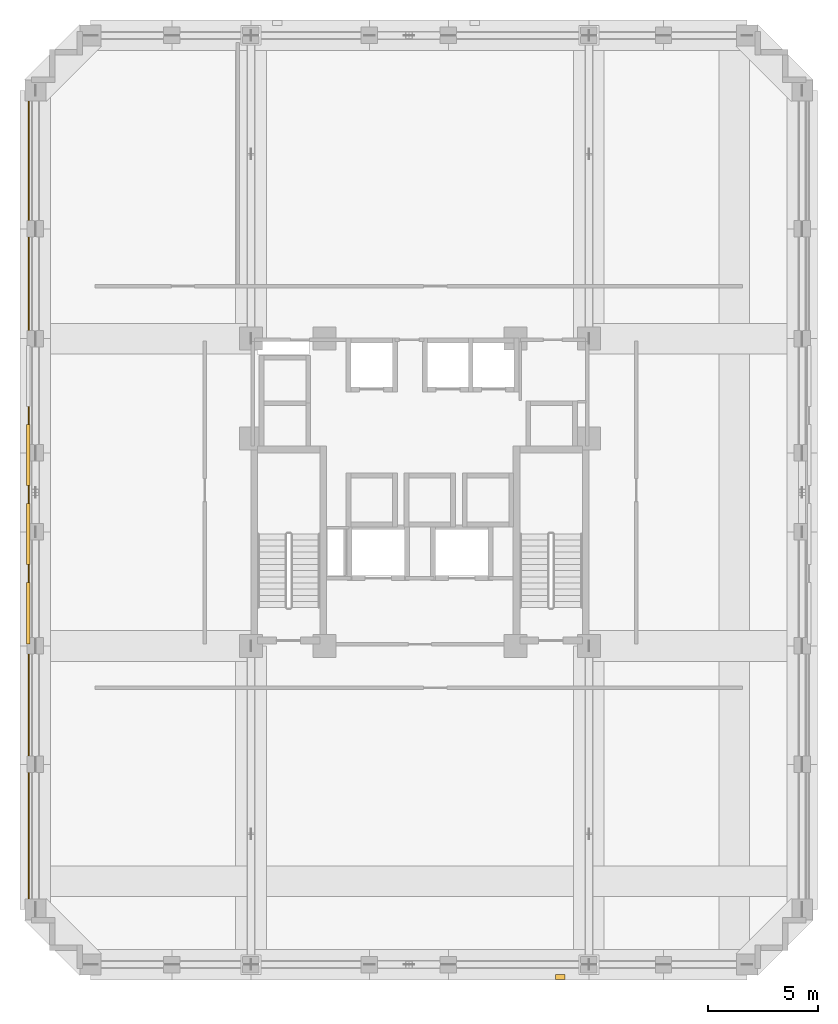
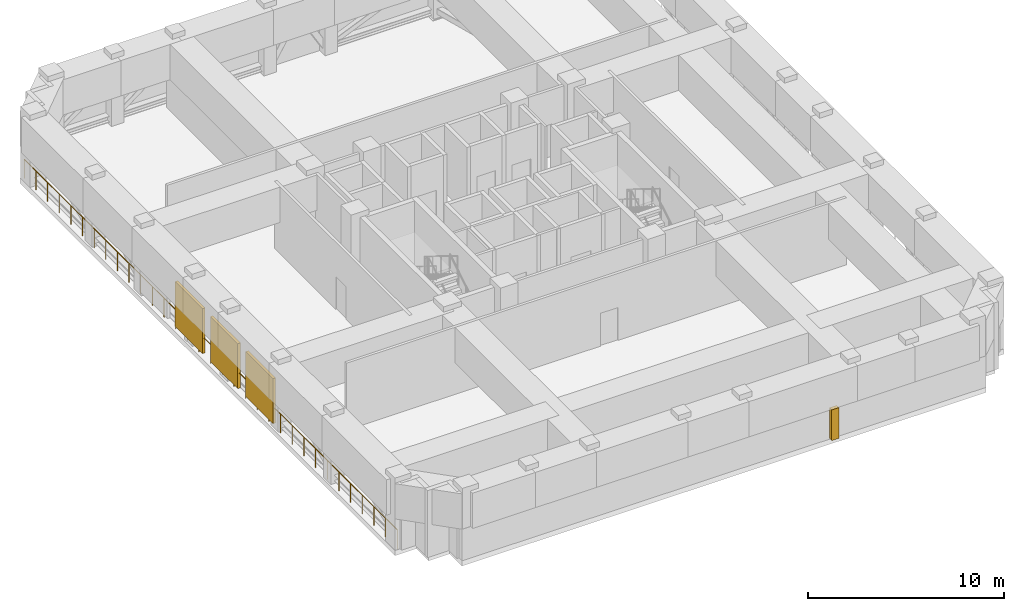
# One storey, part 9 of 11: 3 shading devices, 1 covering, 1 railing.
"""IFC4 building model written with IfcOpenShell, lengths in metres."""

from ifc_helpers import new_model, si_unit, derived_unit, direction, frame, origin, origin_2d, place, context, subcontext, project, spatial, rectangle, circle, extrude, material, layer, layer_set, type_object, element, save


model = new_model("IFC4")

# Units and contexts
model_context = context("Model", 3, precision=1e-05, world=origin(), true_north=direction((0.0, 1.0)))
body_context = subcontext(model_context, "Body", "Model", "MODEL_VIEW")
ifc_project = project(units=[si_unit("LENGTHUNIT", "METRE"), si_unit("AREAUNIT", "SQUARE_METRE"), si_unit("VOLUMEUNIT", "CUBIC_METRE"), si_unit("PLANEANGLEUNIT", "RADIAN"), si_unit("MASSUNIT", "GRAM", prefix="KILO"), derived_unit("THERMALTRANSMITTANCEUNIT", [(si_unit("MASSUNIT", "GRAM", prefix="KILO"), 1), (si_unit("TIMEUNIT", "SECOND"), -3), (si_unit("THERMODYNAMICTEMPERATUREUNIT", "KELVIN"), -1)])], contexts=[model_context])

# Site, building, storey
site_placement = place(None, origin())
site = spatial("IfcSite", under=ifc_project, at=site_placement, CompositionType="ELEMENT")
building_placement = place(site_placement, origin())
building = spatial("IfcBuilding", under=site, at=building_placement, Name="Korrvale Station Residences", CompositionType="ELEMENT")
storey_placement = place(building_placement, frame((0.0, 0.0, 119.89990234375)))
storey = spatial("IfcBuildingStorey", under=building, at=storey_placement, Name="L34", CompositionType="ELEMENT", Elevation=119.89990234375)

# Covering
ifc_material_1 = material(Name="Architectural precast concrete C45/55", Category="concrete")
ifc_layer = layer(ifc_material_1, 0.219970703125, Name="Architectural precast concrete C45/55")
ifc_layer_set = layer_set([ifc_layer], Name="Architectural precast concrete C45/55")
covering_type = type_object("IfcCoveringType", Name="COV-PIER-400", PredefinedType="CLADDING", material=ifc_layer_set)
covering_placement = place(storey_placement, frame((31.89990234375, -0.090087890625, 0.025146484375), z_axis=(0.0, 0.0, 1.0), x_axis=(1.0, 0.0, 0.0)))
element("IfcCovering", 1, at=covering_placement, inside=storey, type_object=covering_type, Name="L34 Architectural Precast Facade Pier 01", PredefinedType="CLADDING", context=body_context, shape_type="SweptSolid", body=[
    extrude(rectangle(XDim=0.419921875, YDim=0.219970703125, at=origin_2d()), origin(), (0.0, 0.0, 1.0), 1.9150390625),
])

# Railing
ifc_material_2 = material(Name="Galvanised steel refuge perimeter guard", Category="steel")
railing_type = type_object("IfcRailingType", Name="RLG-REF-1200", PredefinedType="GUARDRAIL", material=ifc_material_2)
railing_placement = place(storey_placement, frame((7.679931640625, 2.60009765625, 0.0)))
element("IfcRailing", 2, at=railing_placement, inside=storey, type_object=railing_type, Name="L34 Open Refuge Band Perimeter Guard West", PredefinedType="GUARDRAIL", context=body_context, shape_type="SweptSolid", body=[
    extrude(circle(Radius=0.02392578125, at=origin_2d()), frame((0.0, 0.0, 1.17578125), z_axis=(0.0, 1.0, 0.0), x_axis=(-1.0, 0.0, 0.0)), (0.0, 0.0, 1.0), 38.099853515625),
    extrude(circle(Radius=0.02099609375, at=origin_2d()), origin(), (0.0, 0.0, 1.0), 1.15185546875),
    extrude(circle(Radius=0.02099609375, at=origin_2d()), frame((0.0, 1.190673828125, 0.0)), (0.0, 0.0, 1.0), 1.15185546875),
    extrude(circle(Radius=0.02099609375, at=origin_2d()), frame((0.0, 2.38134765625, 0.0)), (0.0, 0.0, 1.0), 1.15185546875),
    extrude(circle(Radius=0.02099609375, at=origin_2d()), frame((0.0, 3.57177734375, 0.0)), (0.0, 0.0, 1.0), 1.15185546875),
    extrude(circle(Radius=0.02099609375, at=origin_2d()), frame((0.0, 4.762451171875, 0.0)), (0.0, 0.0, 1.0), 1.15185546875),
    extrude(circle(Radius=0.02099609375, at=origin_2d()), frame((0.0, 5.953125, 0.0)), (0.0, 0.0, 1.0), 1.15185546875),
    extrude(circle(Radius=0.02099609375, at=origin_2d()), frame((0.0, 7.143798828125, 0.0)), (0.0, 0.0, 1.0), 1.15185546875),
    extrude(circle(Radius=0.02099609375, at=origin_2d()), frame((0.0, 8.334228515625, 0.0)), (0.0, 0.0, 1.0), 1.15185546875),
    extrude(circle(Radius=0.02099609375, at=origin_2d()), frame((0.0, 9.52490234375, 0.0)), (0.0, 0.0, 1.0), 1.15185546875),
    extrude(circle(Radius=0.02099609375, at=origin_2d()), frame((0.0, 10.715576171875, 0.0)), (0.0, 0.0, 1.0), 1.15185546875),
    extrude(circle(Radius=0.02099609375, at=origin_2d()), frame((0.0, 11.90625, 0.0)), (0.0, 0.0, 1.0), 1.15185546875),
    extrude(circle(Radius=0.02099609375, at=origin_2d()), frame((0.0, 13.096923828125, 0.0)), (0.0, 0.0, 1.0), 1.15185546875),
    extrude(circle(Radius=0.02099609375, at=origin_2d()), frame((0.0, 14.287353515625, 0.0)), (0.0, 0.0, 1.0), 1.15185546875),
    extrude(circle(Radius=0.02099609375, at=origin_2d()), frame((0.0, 15.47802734375, 0.0)), (0.0, 0.0, 1.0), 1.15185546875),
    extrude(circle(Radius=0.02099609375, at=origin_2d()), frame((0.0, 16.668701171875, 0.0)), (0.0, 0.0, 1.0), 1.15185546875),
    extrude(circle(Radius=0.02099609375, at=origin_2d()), frame((0.0, 17.859375, 0.0)), (0.0, 0.0, 1.0), 1.15185546875),
    extrude(circle(Radius=0.02099609375, at=origin_2d()), frame((0.0, 19.0498046875, 0.0)), (0.0, 0.0, 1.0), 1.15185546875),
    extrude(circle(Radius=0.02099609375, at=origin_2d()), frame((0.0, 20.240478515625, 0.0)), (0.0, 0.0, 1.0), 1.15185546875),
    extrude(circle(Radius=0.02099609375, at=origin_2d()), frame((0.0, 21.43115234375, 0.0)), (0.0, 0.0, 1.0), 1.15185546875),
    extrude(circle(Radius=0.02099609375, at=origin_2d()), frame((0.0, 22.621826171875, 0.0)), (0.0, 0.0, 1.0), 1.15185546875),
    extrude(circle(Radius=0.02099609375, at=origin_2d()), frame((0.0, 23.8125, 0.0)), (0.0, 0.0, 1.0), 1.15185546875),
    extrude(circle(Radius=0.02099609375, at=origin_2d()), frame((0.0, 25.0029296875, 0.0)), (0.0, 0.0, 1.0), 1.15185546875),
    extrude(circle(Radius=0.02099609375, at=origin_2d()), frame((0.0, 26.193603515625, 0.0)), (0.0, 0.0, 1.0), 1.15185546875),
    extrude(circle(Radius=0.02099609375, at=origin_2d()), frame((0.0, 27.38427734375, 0.0)), (0.0, 0.0, 1.0), 1.15185546875),
    extrude(circle(Radius=0.02099609375, at=origin_2d()), frame((0.0, 28.574951171875, 0.0)), (0.0, 0.0, 1.0), 1.15185546875),
    extrude(circle(Radius=0.02099609375, at=origin_2d()), frame((0.0, 29.765625, 0.0)), (0.0, 0.0, 1.0), 1.15185546875),
    extrude(circle(Radius=0.02099609375, at=origin_2d()), frame((0.0, 30.9560546875, 0.0)), (0.0, 0.0, 1.0), 1.15185546875),
    extrude(circle(Radius=0.02099609375, at=origin_2d()), frame((0.0, 32.146728515625, 0.0)), (0.0, 0.0, 1.0), 1.15185546875),
    extrude(circle(Radius=0.02099609375, at=origin_2d()), frame((0.0, 33.33740234375, 0.0)), (0.0, 0.0, 1.0), 1.15185546875),
    extrude(circle(Radius=0.02099609375, at=origin_2d()), frame((0.0, 34.528076171875, 0.0)), (0.0, 0.0, 1.0), 1.15185546875),
    extrude(circle(Radius=0.02099609375, at=origin_2d()), frame((0.0, 35.718505859375, 0.0)), (0.0, 0.0, 1.0), 1.15185546875),
    extrude(circle(Radius=0.02099609375, at=origin_2d()), frame((0.0, 36.9091796875, 0.0)), (0.0, 0.0, 1.0), 1.15185546875),
    extrude(circle(Radius=0.02099609375, at=origin_2d()), frame((0.0, 38.099853515625, 0.0)), (0.0, 0.0, 1.0), 1.15185546875),
])

# Shading devices
ifc_material_3 = material(Name="Powder-coated aluminium acoustic louvre", Category="aluminium")
shading_device_type = type_object("IfcShadingDeviceType", Name="SHD-LVR-REF", PredefinedType="USERDEFINED", material=ifc_material_3)
for number, where, z_axis, x_axis, name in (
    (3, (7.64990234375, 16.5, 0.25), (0.0, 0.0, 1.0), (1.0, 0.0, 0.0), "L34 Open Refuge Band Acoustic Storm Louvre West 1"),
    (4, (7.64990234375, 20.10009765625, 0.25), (0.0, 0.0, 1.0), (1.0, 0.0, 0.0), "L34 Open Refuge Band Acoustic Storm Louvre West 2"),
    (5, (7.64990234375, 23.699951171875, 0.25), (0.0, 0.0, 1.0), (1.0, 0.0, 0.0), "L34 Open Refuge Band Acoustic Storm Louvre West 3"),
):
    element("IfcShadingDevice", number, at=place(storey_placement, frame(where, z_axis=z_axis, x_axis=x_axis)), inside=storey, type_object=shading_device_type, Name=name, ObjectType="LOUVRE", PredefinedType="USERDEFINED", context=body_context, shape_type="SweptSolid", body=[
        extrude(rectangle(XDim=0.159912109375, YDim=2.800048828125, at=origin_2d()), origin(), (0.0, 0.0, 1.0), 2.800048828125),
    ])

save(model, "model.ifc")
